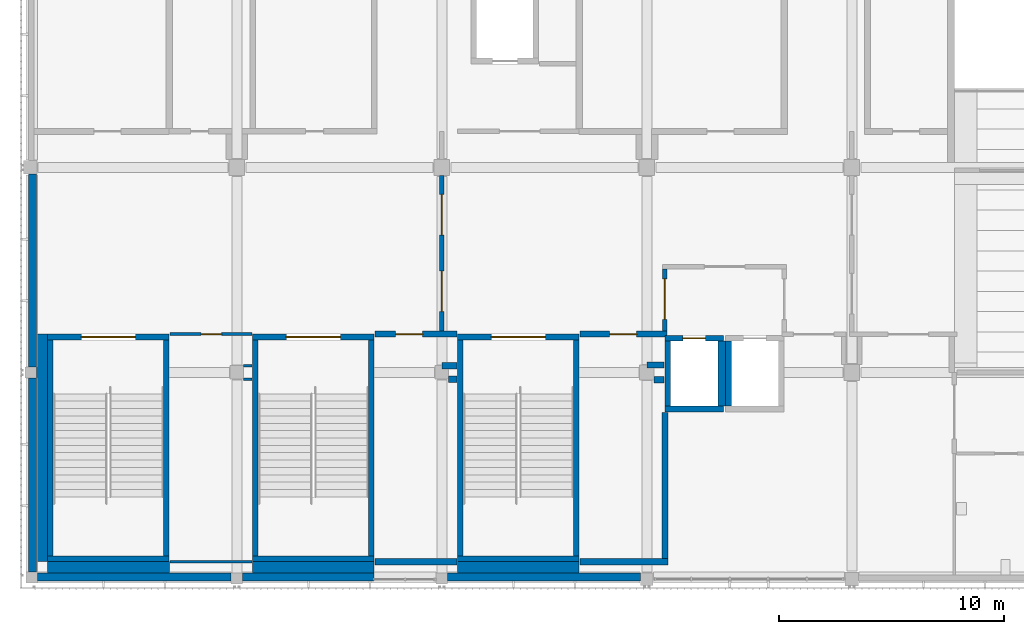
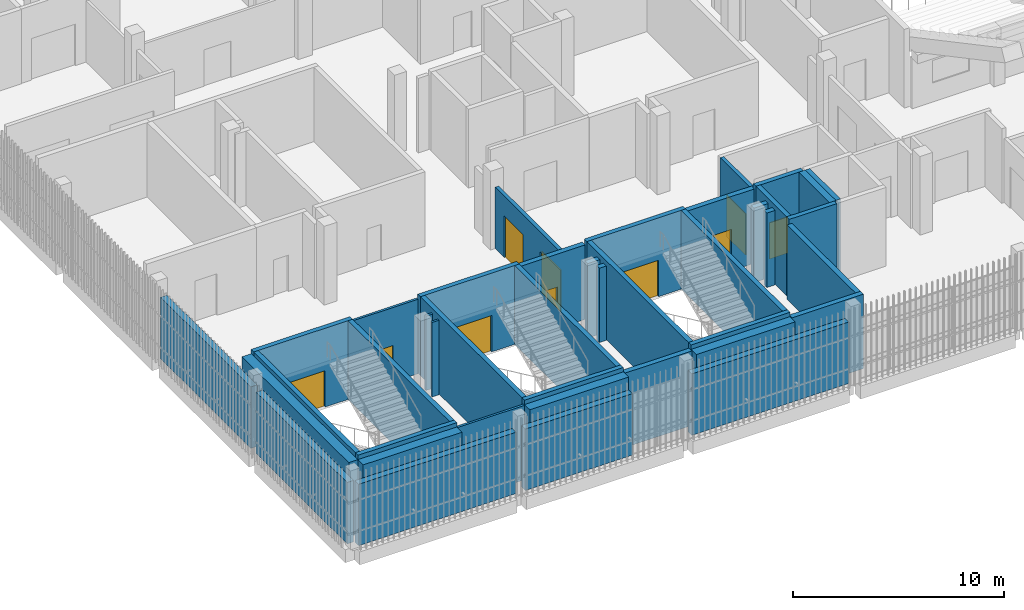
# One storey, part 73 of 139: 41 walls, 10 doors, 10 openings.
"""IFC4 building model written with IfcOpenShell, lengths in metres."""

from ifc_helpers import new_model, si_unit, direction, frame, frame_2d, origin, place, context, subcontext, project, spatial, rectangle, extrude, material, layer, layer_set, type_object, element, fill, save


model = new_model("IFC4")

# Units and contexts
model_context = context("Model", 3, precision=1e-05, world=origin(), true_north=direction((0.0, 1.0)))
body_context = subcontext(model_context, "Body", "Model", "MODEL_VIEW")
ifc_project = project(units=[si_unit("LENGTHUNIT", "METRE"), si_unit("AREAUNIT", "SQUARE_METRE"), si_unit("VOLUMEUNIT", "CUBIC_METRE"), si_unit("PLANEANGLEUNIT", "RADIAN"), si_unit("MASSUNIT", "GRAM", prefix="KILO")], contexts=[model_context])

# Site, building, storey
site_placement = place(None, origin())
site = spatial("IfcSite", under=ifc_project, at=site_placement, CompositionType="ELEMENT")
building_placement = place(site_placement, origin())
building = spatial("IfcBuilding", under=site, at=building_placement, Name="Shirokan Park Arena", CompositionType="ELEMENT")
storey_placement = place(building_placement, frame((0.0, 0.0, 15.469970703125)))
storey = spatial("IfcBuildingStorey", under=building, at=storey_placement, Name="L03", CompositionType="ELEMENT", Elevation=15.469970703125)

# Wall, openings, doors
ifc_material_1 = material(Name="Gypsum board")
ifc_layer_1 = layer(ifc_material_1, 0.02490234375, Name="Gypsum board, two layers")
ifc_material_2 = material(Name="Mineral wool insulation")
ifc_layer_2 = layer(ifc_material_2, 0.14990234375, Name="Mineral wool insulation")
ifc_layer_3 = layer(ifc_material_1, 0.02490234375, Name="Gypsum board, two layers")
ifc_layer_set_1 = layer_set([ifc_layer_1, ifc_layer_2, ifc_layer_3], Name="Gypsum board, two layers + Mineral wool insulation")
wall_type_1 = type_object("IfcWallType", Name="Corridor wall 200", PredefinedType="PARTITIONING", material=ifc_layer_set_1)
wall_1_placement = place(storey_placement, frame((18.199951171875, 17.85009765625, 0.0), z_axis=(0.0, 0.0, 1.0), x_axis=(0.0, -1.0, 0.0)))
wall_1 = element("IfcWall", 1, at=wall_1_placement, inside=storey, type_object=wall_type_1, Name="Corridor wall 200 L03", PredefinedType="PARTITIONING", context=body_context, shape_type="SweptSolid", body=[
    extrude(rectangle(XDim=6.91259765625, YDim=0.199951171875, at=frame_2d((3.456298828125, 0.0))), origin(), (0.0, 0.0, 1.0), 3.550048828125),
])
opening_1_placement = place(wall_1_placement, frame((0.85009765625, 0.0, 0.0)))
opening_1 = element("IfcOpeningElement", 2, at=opening_1_placement, cuts=wall_1, Name="Opening D-3084", PredefinedType="OPENING", context=body_context, shape_type="SweptSolid", body=[
    extrude(rectangle(XDim=1.800048828125, YDim=2.39990234375, at=frame_2d((0.89990234375, 1.199951171875))), frame((0.0, 0.10986328125, 0.0), z_axis=(0.0, -1.0, 0.0), x_axis=(1.0, 0.0, 0.0)), (0.0, 0.0, 1.0), 0.219970703125),
])
opening_2_placement = place(wall_1_placement, frame((4.25, 0.0, 0.0)))
opening_2 = element("IfcOpeningElement", 3, at=opening_2_placement, cuts=wall_1, Name="Opening D-3085", PredefinedType="OPENING", context=body_context, shape_type="SweptSolid", body=[
    extrude(rectangle(XDim=1.800048828125, YDim=2.39990234375, at=frame_2d((0.89990234375, 1.199951171875))), frame((0.0, 0.10986328125, 0.0), z_axis=(0.0, -1.0, 0.0), x_axis=(1.0, 0.0, 0.0)), (0.0, 0.0, 1.0), 0.219970703125),
])
ifc_material_3 = material(Name="Glazed steel door set, fire resisting", Category="steel")
door_type_1 = type_object("IfcDoorType", Name="Lift lobby door 1800 x 2400", OperationType="DOUBLE_DOOR_SINGLE_SWING", PredefinedType="DOOR", material=ifc_material_3)
door_1_placement = place(opening_1_placement, origin())
door_1 = element("IfcDoor", 4, at=door_1_placement, inside=storey, type_object=door_type_1, Name="Door between Hospitality Foyer 1.3.1 and Press Foyer 1.3.2 D-3084", OperationType="DOUBLE_DOOR_SINGLE_SWING", OverallHeight=2.39990234375, OverallWidth=1.800048828125, PredefinedType="DOOR", context=body_context, shape_type="SweptSolid", body=[
    extrude(rectangle(XDim=1.800048828125, YDim=2.39990234375, at=frame_2d((0.89990234375, 1.199951171875))), frame((0.0, 0.02490234375, 0.0), z_axis=(0.0, -1.0, 0.0), x_axis=(1.0, 0.0, 0.0)), (0.0, 0.0, 1.0), 0.050048828125),
])
fill(opening_1, door_1)
door_2_placement = place(opening_2_placement, origin())
door_2 = element("IfcDoor", 5, at=door_2_placement, inside=storey, type_object=door_type_1, Name="Door between Hospitality Foyer 1.3.1 and Press Foyer 1.3.2 D-3085", OperationType="DOUBLE_DOOR_SINGLE_SWING", OverallHeight=2.39990234375, OverallWidth=1.800048828125, PredefinedType="DOOR", context=body_context, shape_type="SweptSolid", body=[
    extrude(rectangle(XDim=1.800048828125, YDim=2.39990234375, at=frame_2d((0.89990234375, 1.199951171875))), frame((0.0, 0.02490234375, 0.0), z_axis=(0.0, -1.0, 0.0), x_axis=(1.0, 0.0, 0.0)), (0.0, 0.0, 1.0), 0.050048828125),
])
fill(opening_2, door_2)

# Wall, opening, door
wall_2_placement = place(storey_placement, frame((28.10009765625, 13.699951171875, 0.0), z_axis=(0.0, 0.0, 1.0), x_axis=(0.0, -1.0, 0.0)))
wall_2 = element("IfcWall", 6, at=wall_2_placement, inside=storey, type_object=wall_type_1, Name="Corridor wall 200 L03", PredefinedType="PARTITIONING", context=body_context, shape_type="SweptSolid", body=[
    extrude(rectangle(XDim=2.762451171875, YDim=0.199951171875, at=frame_2d((1.38134765625, 0.0))), origin(), (0.0, 0.0, 1.0), 4.300048828125),
])
opening_3_placement = place(wall_2_placement, frame((0.449951171875, 0.0, 0.0)))
opening_3 = element("IfcOpeningElement", 7, at=opening_3_placement, cuts=wall_2, Name="Opening D-3090", PredefinedType="OPENING", context=body_context, shape_type="SweptSolid", body=[
    extrude(rectangle(XDim=1.800048828125, YDim=2.39990234375, at=frame_2d((0.89990234375, 1.199951171875))), frame((0.0, 0.10986328125, 0.0), z_axis=(0.0, -1.0, 0.0), x_axis=(1.0, 0.0, 0.0)), (0.0, 0.0, 1.0), 0.219970703125),
])
door_3_placement = place(opening_3_placement, origin())
door_3 = element("IfcDoor", 8, at=door_3_placement, inside=storey, type_object=door_type_1, Name="Door between Press Foyer 1.3.2 and Lift Lobby 1.3 D-3090", OperationType="DOUBLE_DOOR_SINGLE_SWING", OverallHeight=2.39990234375, OverallWidth=1.800048828125, PredefinedType="DOOR", context=body_context, shape_type="SweptSolid", body=[
    extrude(rectangle(XDim=1.800048828125, YDim=2.39990234375, at=frame_2d((0.89990234375, 1.199951171875))), frame((0.0, 0.02490234375, 0.0), z_axis=(0.0, -1.0, 0.0), x_axis=(1.0, 0.0, 0.0)), (0.0, 0.0, 1.0), 0.050048828125),
])
fill(opening_3, door_3)

# Walls
ifc_material_4 = material(Name="Cedar cladding")
ifc_layer_4 = layer(ifc_material_4, 0.030029296875, Name="Cedar cladding")
ifc_layer_5 = layer(ifc_material_2, 0.10009765625, Name="Mineral wool insulation")
ifc_material_5 = material(Name="Concrete C35", Category="concrete")
ifc_layer_6 = layer(ifc_material_5, 0.199951171875, Name="Concrete C35")
ifc_material_6 = material(Name="Gypsum board lining")
ifc_layer_7 = layer(ifc_material_6, 0.02001953125, Name="Gypsum board lining")
ifc_layer_set_2 = layer_set([ifc_layer_4, ifc_layer_5, ifc_layer_6, ifc_layer_7], Name="Cedar cladding + Mineral wool insulation + Concrete C35 + Gypsum board lining")
wall_type_2 = type_object("IfcWallType", Name="Insulated tower wall 350", PredefinedType="SOLIDWALL", material=ifc_layer_set_2)
wall_3_placement = place(storey_placement, frame((0.25, 0.02490234375, 0.0), z_axis=(0.0, 0.0, 1.0), x_axis=(1.0, 0.0, 0.0)))
element("IfcWall", 9, at=wall_3_placement, inside=storey, type_object=wall_type_2, Name="South facade wall bay 1 L03", PredefinedType="SOLIDWALL", context=body_context, shape_type="SweptSolid", body=[
    extrude(rectangle(XDim=8.60009765625, YDim=0.35009765625, at=frame_2d((4.300048828125, 0.0))), origin(), (0.0, 0.0, 1.0), 3.550048828125),
])
wall_4_placement = place(storey_placement, frame((9.35009765625, 0.02490234375, 0.0), z_axis=(0.0, 0.0, 1.0), x_axis=(1.0, 0.0, 0.0)))
element("IfcWall", 10, at=wall_4_placement, inside=storey, type_object=wall_type_2, Name="South facade wall bay 2 L03", PredefinedType="SOLIDWALL", context=body_context, shape_type="SweptSolid", body=[
    extrude(rectangle(XDim=5.849853515625, YDim=0.35009765625, at=frame_2d((2.9248046875, 0.0))), origin(), (0.0, 0.0, 1.0), 3.550048828125),
])
wall_5_placement = place(storey_placement, frame((18.449951171875, 0.02490234375, 0.0), z_axis=(0.0, 0.0, 1.0), x_axis=(1.0, 0.0, 0.0)))
element("IfcWall", 11, at=wall_5_placement, inside=storey, type_object=wall_type_2, Name="South facade wall bay 3 L03", PredefinedType="SOLIDWALL", context=body_context, shape_type="SweptSolid", body=[
    extrude(rectangle(XDim=8.574951171875, YDim=0.35009765625, at=frame_2d((4.28759765625, 0.0))), origin(), (0.0, 0.0, 1.0), 3.550048828125),
])
wall_6_placement = place(storey_placement, frame((0.02490234375, 17.89990234375, 0.0), z_axis=(0.0, 0.0, 1.0), x_axis=(0.0, -1.0, 0.0)))
element("IfcWall", 12, at=wall_6_placement, inside=storey, type_object=wall_type_2, Name="West facade wall bay 11 L03", PredefinedType="SOLIDWALL", context=body_context, shape_type="SweptSolid", body=[
    extrude(rectangle(XDim=8.5498046875, YDim=0.35009765625, at=frame_2d((4.27490234375, 0.0))), origin(), (0.0, 0.0, 1.0), 3.550048828125),
])
wall_7_placement = place(storey_placement, frame((0.02490234375, 8.85009765625, 0.0), z_axis=(0.0, 0.0, 1.0), x_axis=(0.0, -1.0, 0.0)))
element("IfcWall", 13, at=wall_7_placement, inside=storey, type_object=wall_type_2, Name="West facade wall bay 12 L03", PredefinedType="SOLIDWALL", context=body_context, shape_type="SweptSolid", body=[
    extrude(rectangle(XDim=8.60009765625, YDim=0.35009765625, at=frame_2d((4.300048828125, 0.0))), origin(), (0.0, 0.0, 1.0), 3.550048828125),
])
ifc_material_7 = material(Name="Plaster")
ifc_layer_8 = layer(ifc_material_7, 0.012451171875, Name="Plaster")
ifc_material_8 = material(Name="Concrete blockwork", Category="masonry")
ifc_layer_9 = layer(ifc_material_8, 0.25, Name="Concrete blockwork 250")
ifc_layer_10 = layer(ifc_material_7, 0.012451171875, Name="Plaster")
ifc_layer_set_3 = layer_set([ifc_layer_8, ifc_layer_9, ifc_layer_10], Name="Plaster + Concrete blockwork 250")
wall_type_3 = type_object("IfcWallType", Name="Plant room wall 275", PredefinedType="SOLIDWALL", material=ifc_layer_set_3)
wall_8_placement = place(storey_placement, frame((18.199951171875, 9.39990234375, 0.0), z_axis=(0.0, 0.0, 1.0), x_axis=(1.0, 0.0, 0.0)))
element("IfcWall", 14, at=wall_8_placement, inside=storey, type_object=wall_type_3, Name="Plant room wall 275 L03", PredefinedType="SOLIDWALL", context=body_context, shape_type="SweptSolid", body=[
    extrude(rectangle(XDim=0.670166015625, YDim=0.27490234375, at=frame_2d((0.3349609375, 0.0))), origin(), (0.0, 0.0, 1.0), 4.300048828125),
])

# Wall, opening, door
wall_9_placement = place(storey_placement, frame((15.22998046875, 10.800048828125, 0.0), z_axis=(0.0, 0.0, 1.0), x_axis=(1.0, 0.0, 0.0)))
wall_9 = element("IfcWall", 15, at=wall_9_placement, inside=storey, type_object=wall_type_3, Name="Plant room wall 275 L03", PredefinedType="SOLIDWALL", context=body_context, shape_type="SweptSolid", body=[
    extrude(rectangle(XDim=3.64013671875, YDim=0.27490234375, at=frame_2d((1.820068359375, 0.0))), origin(), (0.0, 0.0, 1.0), 4.300048828125),
])
opening_4_placement = place(wall_9_placement, frame((0.919921875, 0.0, 0.0)))
opening_4 = element("IfcOpeningElement", 16, at=opening_4_placement, cuts=wall_9, Name="Opening D-3007", PredefinedType="OPENING", context=body_context, shape_type="SweptSolid", body=[
    extrude(rectangle(XDim=1.199951171875, YDim=2.39990234375, at=frame_2d((0.60009765625, 1.199951171875))), frame((0.0, 0.1474609375, 0.0), z_axis=(0.0, -1.0, 0.0), x_axis=(1.0, 0.0, 0.0)), (0.0, 0.0, 1.0), 0.294921875),
])
ifc_material_9 = material(Name="Louvred steel door set, fire resisting", Category="steel")
door_type_2 = type_object("IfcDoorType", Name="Plant room door 1200 x 2400", OperationType="SINGLE_SWING_LEFT", PredefinedType="DOOR", material=ifc_material_9)
door_4_placement = place(opening_4_placement, origin())
door_4 = element("IfcDoor", 17, at=door_4_placement, inside=storey, type_object=door_type_2, Name="Door to Communications Room 3.11 D-3007", OperationType="SINGLE_SWING_RIGHT", OverallHeight=2.39990234375, OverallWidth=1.199951171875, PredefinedType="DOOR", context=body_context, shape_type="SweptSolid", body=[
    extrude(rectangle(XDim=1.199951171875, YDim=2.39990234375, at=frame_2d((0.60009765625, 1.199951171875))), frame((0.0, 0.02490234375, 0.0), z_axis=(0.0, -1.0, 0.0), x_axis=(1.0, 0.0, 0.0)), (0.0, 0.0, 1.0), 0.050048828125),
])
fill(opening_4, door_4)

# Walls
wall_10_placement = place(storey_placement, frame((18.5, 8.800048828125, 0.0), z_axis=(0.0, 0.0, 1.0), x_axis=(1.0, 0.0, 0.0)))
element("IfcWall", 18, at=wall_10_placement, inside=storey, type_object=wall_type_3, Name="Plant room wall 275 L03", PredefinedType="SOLIDWALL", context=body_context, shape_type="SweptSolid", body=[
    extrude(rectangle(XDim=0.3701171875, YDim=0.27490234375, at=frame_2d((0.18505859375, 0.0))), origin(), (0.0, 0.0, 1.0), 4.300048828125),
])
wall_11_placement = place(storey_placement, frame((18.8701171875, 0.699951171875, 0.0), z_axis=(0.0, 0.0, 1.0), x_axis=(-1.0, 0.0, 0.0)))
element("IfcWall", 19, at=wall_11_placement, inside=storey, type_object=wall_type_3, Name="Plant room wall 275 L03", PredefinedType="SOLIDWALL", context=body_context, shape_type="SweptSolid", body=[
    extrude(rectangle(XDim=3.64013671875, YDim=0.27490234375, at=frame_2d((1.820068359375, 0.0))), origin(), (0.0, 0.0, 1.0), 4.300048828125),
])
wall_12_placement = place(storey_placement, frame((27.300048828125, 9.425048828125, 0.0), z_axis=(0.0, 0.0, 1.0), x_axis=(1.0, 0.0, 0.0)))
element("IfcWall", 20, at=wall_12_placement, inside=storey, type_object=wall_type_3, Name="Plant room wall 275 L03", PredefinedType="SOLIDWALL", context=body_context, shape_type="SweptSolid", body=[
    extrude(rectangle(XDim=0.77001953125, YDim=0.27490234375, at=frame_2d((0.385009765625, 0.0))), origin(), (0.0, 0.0, 1.0), 4.300048828125),
])
wall_13_placement = place(storey_placement, frame((27.625, 8.77490234375, 0.0), z_axis=(0.0, 0.0, 1.0), x_axis=(1.0, 0.0, 0.0)))
element("IfcWall", 21, at=wall_13_placement, inside=storey, type_object=wall_type_3, Name="Plant room wall 275 L03", PredefinedType="SOLIDWALL", context=body_context, shape_type="SweptSolid", body=[
    extrude(rectangle(XDim=0.445068359375, YDim=0.27490234375, at=frame_2d((0.22265625, 0.0))), origin(), (0.0, 0.0, 1.0), 4.300048828125),
])
wall_14_placement = place(storey_placement, frame((28.10009765625, 7.320068359375, 0.0), z_axis=(0.0, 0.0, 1.0), x_axis=(0.0, -1.0, 0.0)))
element("IfcWall", 22, at=wall_14_placement, inside=storey, type_object=wall_type_3, Name="Plant room wall 275 L03", PredefinedType="SOLIDWALL", context=body_context, shape_type="SweptSolid", body=[
    extrude(rectangle(XDim=6.482666015625, YDim=0.27490234375, at=frame_2d((3.2412109375, 0.0))), origin(), (0.0, 0.0, 1.0), 4.300048828125),
])

# Wall, opening, door
wall_15_placement = place(storey_placement, frame((28.199951171875, 10.800048828125, 0.0), z_axis=(0.0, 0.0, 1.0), x_axis=(-1.0, 0.0, 0.0)))
wall_15 = element("IfcWall", 23, at=wall_15_placement, inside=storey, type_object=wall_type_3, Name="Plant room wall 275 L03", PredefinedType="SOLIDWALL", context=body_context, shape_type="SweptSolid", body=[
    extrude(rectangle(XDim=3.869873046875, YDim=0.27490234375, at=frame_2d((1.93505859375, 0.0))), origin(), (0.0, 0.0, 1.0), 4.300048828125),
])
opening_5_placement = place(wall_15_placement, frame((1.35009765625, 0.0, 0.0)))
opening_5 = element("IfcOpeningElement", 24, at=opening_5_placement, cuts=wall_15, Name="Opening D-3008", PredefinedType="OPENING", context=body_context, shape_type="SweptSolid", body=[
    extrude(rectangle(XDim=1.199951171875, YDim=2.39990234375, at=frame_2d((0.60009765625, 1.199951171875))), frame((0.0, 0.1474609375, 0.0), z_axis=(0.0, -1.0, 0.0), x_axis=(1.0, 0.0, 0.0)), (0.0, 0.0, 1.0), 0.294921875),
])
door_5_placement = place(opening_5_placement, origin())
door_5 = element("IfcDoor", 25, at=door_5_placement, inside=storey, type_object=door_type_2, Name="Door to Server Room 3.12 D-3008", OperationType="SINGLE_SWING_LEFT", OverallHeight=2.39990234375, OverallWidth=1.199951171875, PredefinedType="DOOR", context=body_context, shape_type="SweptSolid", body=[
    extrude(rectangle(XDim=1.199951171875, YDim=2.39990234375, at=frame_2d((0.60009765625, 1.199951171875))), frame((0.0, 0.02490234375, 0.0), z_axis=(0.0, -1.0, 0.0), x_axis=(1.0, 0.0, 0.0)), (0.0, 0.0, 1.0), 0.050048828125),
])
fill(opening_5, door_5)

# Walls
wall_16_placement = place(storey_placement, frame((28.237548828125, 0.699951171875, 0.0), z_axis=(0.0, 0.0, 1.0), x_axis=(-1.0, 0.0, 0.0)))
element("IfcWall", 26, at=wall_16_placement, inside=storey, type_object=wall_type_3, Name="Plant room wall 275 L03", PredefinedType="SOLIDWALL", context=body_context, shape_type="SweptSolid", body=[
    extrude(rectangle(XDim=3.907470703125, YDim=0.27490234375, at=frame_2d((1.95361328125, 0.0))), origin(), (0.0, 0.0, 1.0), 4.300048828125),
])
ifc_material_10 = material(Name="Concrete C40/50", Category="concrete")
ifc_layer_11 = layer(ifc_material_10, 0.25)
ifc_layer_set_4 = layer_set([ifc_layer_11], Name="Concrete C40/50 250 mm")
wall_type_4 = type_object("IfcWallType", Name="RC shear wall 250", PredefinedType="SHEAR", material=ifc_layer_set_4)
wall_17_placement = place(storey_placement, frame((30.699951171875, 7.47509765625, 0.0), z_axis=(0.0, 0.0, 1.0), x_axis=(-1.0, 0.0, 0.0)))
element("IfcWall", 27, at=wall_17_placement, inside=storey, type_object=wall_type_4, Name="Shaft wall Passenger Lift 1.1 S L03", PredefinedType="SHEAR", context=body_context, shape_type="SweptSolid", body=[
    extrude(rectangle(XDim=2.599853515625, YDim=0.25, at=frame_2d((1.2998046875, 0.0))), origin(), (0.0, 0.0, 1.0), 4.550048828125),
])

# Wall, opening, door
wall_18_placement = place(storey_placement, frame((30.699951171875, 10.625, 0.0), z_axis=(0.0, 0.0, 1.0), x_axis=(-1.0, 0.0, 0.0)))
wall_18 = element("IfcWall", 28, at=wall_18_placement, inside=storey, type_object=wall_type_4, Name="Shaft wall Passenger Lift 1.1 N L03", PredefinedType="SHEAR", context=body_context, shape_type="SweptSolid", body=[
    extrude(rectangle(XDim=2.599853515625, YDim=0.25, at=frame_2d((1.2998046875, 0.0))), origin(), (0.0, 0.0, 1.0), 4.550048828125),
])
opening_6_placement = place(wall_18_placement, frame((0.800048828125, 0.0, 0.0)))
opening_6 = element("IfcOpeningElement", 29, at=opening_6_placement, cuts=wall_18, Name="Opening LD04", PredefinedType="OPENING", context=body_context, shape_type="SweptSolid", body=[
    extrude(rectangle(XDim=1.0, YDim=2.10009765625, at=frame_2d((0.5, 1.050048828125))), frame((0.0, 0.135009765625, 0.0), z_axis=(0.0, -1.0, 0.0), x_axis=(1.0, 0.0, 0.0)), (0.0, 0.0, 1.0), 0.27001953125),
])
ifc_material_11 = material(Name="Stainless steel", Category="steel")
door_type_3 = type_object("IfcDoorType", Name="Lift landing door 1000x2100", OperationType="DOUBLE_DOOR_SLIDING", PredefinedType="DOOR", material=ifc_material_11)
door_6_placement = place(opening_6_placement, origin())
door_6 = element("IfcDoor", 30, at=door_6_placement, inside=storey, type_object=door_type_3, Name="Lift landing door Passenger Lift 1.1 L03", OperationType="DOUBLE_DOOR_SLIDING", OverallHeight=2.10009765625, OverallWidth=1.0, PredefinedType="DOOR", context=body_context, shape_type="SweptSolid", body=[
    extrude(rectangle(XDim=1.0, YDim=2.10009765625, at=frame_2d((0.5, 1.050048828125))), frame((0.0, 0.02490234375, 0.0), z_axis=(0.0, -1.0, 0.0), x_axis=(1.0, 0.0, 0.0)), (0.0, 0.0, 1.0), 0.050048828125),
])
fill(opening_6, door_6)

# Walls
for number, where, z_axis, x_axis, name in (
    (31, (28.22509765625, 10.5, 0.0), (0.0, 0.0, 1.0), (0.0, -1.0, 0.0), "Shaft wall Passenger Lift 1.1 W L03"),
    (32, (30.925048828125, 10.5, 0.0), (0.0, 0.0, 1.0), (0.0, -1.0, 0.0), "Shaft wall Passenger Lift 1.2 W L03"),
):
    element("IfcWall", number, at=place(storey_placement, frame(where, z_axis=z_axis, x_axis=x_axis)), inside=storey, type_object=wall_type_4, Name=name, PredefinedType="SHEAR", context=body_context, shape_type="SweptSolid", body=[
        extrude(rectangle(XDim=2.89990234375, YDim=0.25, at=frame_2d((1.449951171875, 0.0))), origin(), (0.0, 0.0, 1.0), 4.550048828125),
    ])
wall_19_placement = place(storey_placement, frame((6.10009765625, 0.824951171875, 0.0), z_axis=(0.0, 0.0, 1.0), x_axis=(-1.0, 0.0, 0.0)))
element("IfcWall", 33, at=wall_19_placement, inside=storey, type_object=wall_type_4, Name="Shaft wall Exit Stair 1.A S L03", PredefinedType="SHEAR", context=body_context, shape_type="SweptSolid", body=[
    extrude(rectangle(XDim=5.400146484375, YDim=0.25, at=frame_2d((2.7001953125, 0.0))), origin(), (0.0, 0.0, 1.0), 4.550048828125),
])

# Wall, opening, door
wall_20_placement = place(storey_placement, frame((6.10009765625, 10.675048828125, 0.0), z_axis=(0.0, 0.0, 1.0), x_axis=(-1.0, 0.0, 0.0)))
wall_20 = element("IfcWall", 34, at=wall_20_placement, inside=storey, type_object=wall_type_4, Name="Shaft wall Exit Stair 1.A N L03", PredefinedType="SHEAR", context=body_context, shape_type="SweptSolid", body=[
    extrude(rectangle(XDim=5.400146484375, YDim=0.25, at=frame_2d((2.7001953125, 0.0))), origin(), (0.0, 0.0, 1.0), 4.550048828125),
])
opening_7_placement = place(wall_20_placement, frame((1.5, 0.0, 0.0)))
opening_7 = element("IfcOpeningElement", 35, at=opening_7_placement, cuts=wall_20, Name="Opening D-3146", PredefinedType="OPENING", context=body_context, shape_type="SweptSolid", body=[
    extrude(rectangle(XDim=2.39990234375, YDim=2.10009765625, at=frame_2d((1.199951171875, 1.050048828125))), frame((0.0, 0.135009765625, 0.0), z_axis=(0.0, -1.0, 0.0), x_axis=(1.0, 0.0, 0.0)), (0.0, 0.0, 1.0), 0.27001953125),
])
ifc_material_12 = material(Name="Steel door set, fire resisting", Category="steel")
door_type_4 = type_object("IfcDoorType", Name="Stair door 2400 x 2100", OperationType="DOUBLE_DOOR_SINGLE_SWING", PredefinedType="DOOR", material=ifc_material_12)
door_7_placement = place(opening_7_placement, origin())
door_7 = element("IfcDoor", 36, at=door_7_placement, inside=storey, type_object=door_type_4, Name="Stair door Exit Stair 1.A D-3146", OperationType="DOUBLE_DOOR_SINGLE_SWING", OverallHeight=2.10009765625, OverallWidth=2.39990234375, PredefinedType="DOOR", context=body_context, shape_type="SweptSolid", body=[
    extrude(rectangle(XDim=2.39990234375, YDim=2.10009765625, at=frame_2d((1.199951171875, 1.050048828125))), frame((0.0, 0.02490234375, 0.0), z_axis=(0.0, -1.0, 0.0), x_axis=(1.0, 0.0, 0.0)), (0.0, 0.0, 1.0), 0.050048828125),
])
fill(opening_7, door_7)

# Walls
for number, where, z_axis, x_axis, name in (
    (37, (0.824951171875, 10.550048828125, 0.0), (0.0, 0.0, 1.0), (0.0, -1.0, 0.0), "Shaft wall Exit Stair 1.A W L03"),
    (38, (5.97509765625, 10.550048828125, 0.0), (0.0, 0.0, 1.0), (0.0, -1.0, 0.0), "Shaft wall Exit Stair 1.A E L03"),
):
    element("IfcWall", number, at=place(storey_placement, frame(where, z_axis=z_axis, x_axis=x_axis)), inside=storey, type_object=wall_type_4, Name=name, PredefinedType="SHEAR", context=body_context, shape_type="SweptSolid", body=[
        extrude(rectangle(XDim=9.60009765625, YDim=0.25, at=frame_2d((4.800048828125, 0.0))), origin(), (0.0, 0.0, 1.0), 4.550048828125),
    ])
wall_21_placement = place(storey_placement, frame((15.199951171875, 0.824951171875, 0.0), z_axis=(0.0, 0.0, 1.0), x_axis=(-1.0, 0.0, 0.0)))
element("IfcWall", 39, at=wall_21_placement, inside=storey, type_object=wall_type_4, Name="Shaft wall Exit Stair 1.B S L03", PredefinedType="SHEAR", context=body_context, shape_type="SweptSolid", body=[
    extrude(rectangle(XDim=5.39990234375, YDim=0.25, at=frame_2d((2.699951171875, 0.0))), origin(), (0.0, 0.0, 1.0), 4.550048828125),
])

# Wall, opening, door
wall_22_placement = place(storey_placement, frame((15.199951171875, 10.675048828125, 0.0), z_axis=(0.0, 0.0, 1.0), x_axis=(-1.0, 0.0, 0.0)))
wall_22 = element("IfcWall", 40, at=wall_22_placement, inside=storey, type_object=wall_type_4, Name="Shaft wall Exit Stair 1.B N L03", PredefinedType="SHEAR", context=body_context, shape_type="SweptSolid", body=[
    extrude(rectangle(XDim=5.39990234375, YDim=0.25, at=frame_2d((2.699951171875, 0.0))), origin(), (0.0, 0.0, 1.0), 4.550048828125),
])
opening_8_placement = place(wall_22_placement, frame((1.5, 0.0, 0.0)))
opening_8 = element("IfcOpeningElement", 41, at=opening_8_placement, cuts=wall_22, Name="Opening D-3147", PredefinedType="OPENING", context=body_context, shape_type="SweptSolid", body=[
    extrude(rectangle(XDim=2.39990234375, YDim=2.10009765625, at=frame_2d((1.199951171875, 1.050048828125))), frame((0.0, 0.135009765625, 0.0), z_axis=(0.0, -1.0, 0.0), x_axis=(1.0, 0.0, 0.0)), (0.0, 0.0, 1.0), 0.27001953125),
])
door_8_placement = place(opening_8_placement, origin())
door_8 = element("IfcDoor", 42, at=door_8_placement, inside=storey, type_object=door_type_4, Name="Stair door Exit Stair 1.B D-3147", OperationType="DOUBLE_DOOR_SINGLE_SWING", OverallHeight=2.10009765625, OverallWidth=2.39990234375, PredefinedType="DOOR", context=body_context, shape_type="SweptSolid", body=[
    extrude(rectangle(XDim=2.39990234375, YDim=2.10009765625, at=frame_2d((1.199951171875, 1.050048828125))), frame((0.0, 0.02490234375, 0.0), z_axis=(0.0, -1.0, 0.0), x_axis=(1.0, 0.0, 0.0)), (0.0, 0.0, 1.0), 0.050048828125),
])
fill(opening_8, door_8)

# Walls
for number, where, z_axis, x_axis, name in (
    (43, (9.925048828125, 10.550048828125, 0.0), (0.0, 0.0, 1.0), (0.0, -1.0, 0.0), "Shaft wall Exit Stair 1.B W L03"),
    (44, (15.074951171875, 10.550048828125, 0.0), (0.0, 0.0, 1.0), (0.0, -1.0, 0.0), "Shaft wall Exit Stair 1.B E L03"),
):
    element("IfcWall", number, at=place(storey_placement, frame(where, z_axis=z_axis, x_axis=x_axis)), inside=storey, type_object=wall_type_4, Name=name, PredefinedType="SHEAR", context=body_context, shape_type="SweptSolid", body=[
        extrude(rectangle(XDim=9.60009765625, YDim=0.25, at=frame_2d((4.800048828125, 0.0))), origin(), (0.0, 0.0, 1.0), 4.550048828125),
    ])
wall_23_placement = place(storey_placement, frame((24.300048828125, 0.824951171875, 0.0), z_axis=(0.0, 0.0, 1.0), x_axis=(-1.0, 0.0, 0.0)))
element("IfcWall", 45, at=wall_23_placement, inside=storey, type_object=wall_type_4, Name="Shaft wall Exit Stair 1.C S L03", PredefinedType="SHEAR", context=body_context, shape_type="SweptSolid", body=[
    extrude(rectangle(XDim=5.400146484375, YDim=0.25, at=frame_2d((2.7001953125, 0.0))), origin(), (0.0, 0.0, 1.0), 4.550048828125),
])

# Wall, opening, door
wall_24_placement = place(storey_placement, frame((24.300048828125, 10.675048828125, 0.0), z_axis=(0.0, 0.0, 1.0), x_axis=(-1.0, 0.0, 0.0)))
wall_24 = element("IfcWall", 46, at=wall_24_placement, inside=storey, type_object=wall_type_4, Name="Shaft wall Exit Stair 1.C N L03", PredefinedType="SHEAR", context=body_context, shape_type="SweptSolid", body=[
    extrude(rectangle(XDim=5.400146484375, YDim=0.25, at=frame_2d((2.7001953125, 0.0))), origin(), (0.0, 0.0, 1.0), 4.550048828125),
])
opening_9_placement = place(wall_24_placement, frame((1.5, 0.0, 0.0)))
opening_9 = element("IfcOpeningElement", 47, at=opening_9_placement, cuts=wall_24, Name="Opening D-3148", PredefinedType="OPENING", context=body_context, shape_type="SweptSolid", body=[
    extrude(rectangle(XDim=2.39990234375, YDim=2.10009765625, at=frame_2d((1.199951171875, 1.050048828125))), frame((0.0, 0.135009765625, 0.0), z_axis=(0.0, -1.0, 0.0), x_axis=(1.0, 0.0, 0.0)), (0.0, 0.0, 1.0), 0.27001953125),
])
door_9_placement = place(opening_9_placement, origin())
door_9 = element("IfcDoor", 48, at=door_9_placement, inside=storey, type_object=door_type_4, Name="Stair door Exit Stair 1.C D-3148", OperationType="DOUBLE_DOOR_SINGLE_SWING", OverallHeight=2.10009765625, OverallWidth=2.39990234375, PredefinedType="DOOR", context=body_context, shape_type="SweptSolid", body=[
    extrude(rectangle(XDim=2.39990234375, YDim=2.10009765625, at=frame_2d((1.199951171875, 1.050048828125))), frame((0.0, 0.02490234375, 0.0), z_axis=(0.0, -1.0, 0.0), x_axis=(1.0, 0.0, 0.0)), (0.0, 0.0, 1.0), 0.050048828125),
])
fill(opening_9, door_9)

# Walls
for number, where, z_axis, x_axis, name in (
    (49, (19.02490234375, 10.550048828125, 0.0), (0.0, 0.0, 1.0), (0.0, -1.0, 0.0), "Shaft wall Exit Stair 1.C W L03"),
    (50, (24.175048828125, 10.550048828125, 0.0), (0.0, 0.0, 1.0), (0.0, -1.0, 0.0), "Shaft wall Exit Stair 1.C E L03"),
):
    element("IfcWall", number, at=place(storey_placement, frame(where, z_axis=z_axis, x_axis=x_axis)), inside=storey, type_object=wall_type_4, Name=name, PredefinedType="SHEAR", context=body_context, shape_type="SweptSolid", body=[
        extrude(rectangle(XDim=9.60009765625, YDim=0.25, at=frame_2d((4.800048828125, 0.0))), origin(), (0.0, 0.0, 1.0), 4.550048828125),
    ])
ifc_layer_12 = layer(ifc_material_10, 0.35009765625)
ifc_layer_set_5 = layer_set([ifc_layer_12], Name="Concrete C40/50 350 mm")
wall_type_5 = type_object("IfcWallType", Name="RC shear wall 350", PredefinedType="SHEAR", material=ifc_layer_set_5)
wall_25_placement = place(storey_placement, frame((30.625, 10.5, 0.0), z_axis=(0.0, 0.0, 1.0), x_axis=(0.0, -1.0, 0.0)))
element("IfcWall", 51, at=wall_25_placement, inside=storey, type_object=wall_type_5, Name="Shaft wall Passenger Lift 1.1 E L03", PredefinedType="SHEAR", context=body_context, shape_type="SweptSolid", body=[
    extrude(rectangle(XDim=2.89990234375, YDim=0.35009765625, at=frame_2d((1.449951171875, 0.0))), origin(), (0.0, 0.0, 1.0), 4.550048828125),
])
ifc_layer_13 = layer(ifc_material_5, 0.5)
ifc_layer_set_6 = layer_set([ifc_layer_13], Name="Concrete C35 500 mm")
wall_type_6 = type_object("IfcWallType", Name="Shaft infill wall 500", PredefinedType="SOLIDWALL", material=ifc_layer_set_6)
wall_26_placement = place(storey_placement, frame((0.699951171875, 0.449951171875, 0.0), z_axis=(0.0, 0.0, 1.0), x_axis=(1.0, 0.0, 0.0)))
element("IfcWall", 52, at=wall_26_placement, inside=storey, type_object=wall_type_6, Name="Shaft infill wall L03", PredefinedType="SOLIDWALL", context=body_context, shape_type="SweptSolid", body=[
    extrude(rectangle(XDim=5.400146484375, YDim=0.5, at=frame_2d((2.7001953125, 0.0))), origin(), (0.0, 0.0, 1.0), 4.300048828125),
])
wall_27_placement = place(storey_placement, frame((0.449951171875, 0.699951171875, 0.0), z_axis=(0.0, 0.0, 1.0), x_axis=(0.0, 1.0, 0.0)))
element("IfcWall", 53, at=wall_27_placement, inside=storey, type_object=wall_type_6, Name="Shaft infill wall L03", PredefinedType="SOLIDWALL", context=body_context, shape_type="SweptSolid", body=[
    extrude(rectangle(XDim=10.10009765625, YDim=0.5, at=frame_2d((5.050048828125, 0.0))), origin(), (0.0, 0.0, 1.0), 4.300048828125),
])
wall_28_placement = place(storey_placement, frame((9.800048828125, 0.449951171875, 0.0), z_axis=(0.0, 0.0, 1.0), x_axis=(1.0, 0.0, 0.0)))
element("IfcWall", 54, at=wall_28_placement, inside=storey, type_object=wall_type_6, Name="Shaft infill wall L03", PredefinedType="SOLIDWALL", context=body_context, shape_type="SweptSolid", body=[
    extrude(rectangle(XDim=5.39990234375, YDim=0.5, at=frame_2d((2.699951171875, 0.0))), origin(), (0.0, 0.0, 1.0), 4.300048828125),
])
wall_29_placement = place(storey_placement, frame((18.89990234375, 0.449951171875, 0.0), z_axis=(0.0, 0.0, 1.0), x_axis=(1.0, 0.0, 0.0)))
element("IfcWall", 55, at=wall_29_placement, inside=storey, type_object=wall_type_6, Name="Shaft infill wall L03", PredefinedType="SOLIDWALL", context=body_context, shape_type="SweptSolid", body=[
    extrude(rectangle(XDim=5.400146484375, YDim=0.5, at=frame_2d((2.7001953125, 0.0))), origin(), (0.0, 0.0, 1.0), 4.300048828125),
])
ifc_material_13 = material(Name="Ceramic tile")
ifc_layer_14 = layer(ifc_material_13, 0.010009765625, Name="Ceramic tile")
ifc_material_14 = material(Name="Cement board")
ifc_layer_15 = layer(ifc_material_14, 0.012451171875, Name="Cement board")
ifc_layer_16 = layer(ifc_material_2, 0.080078125, Name="Mineral wool insulation")
ifc_layer_17 = layer(ifc_material_14, 0.012451171875, Name="Cement board")
ifc_layer_18 = layer(ifc_material_13, 0.010009765625, Name="Ceramic tile")
ifc_layer_set_7 = layer_set([ifc_layer_14, ifc_layer_15, ifc_layer_16, ifc_layer_17, ifc_layer_18], Name="Ceramic tile + Cement board + Mineral wool insulation")
wall_type_7 = type_object("IfcWallType", Name="Wet-area wall 125", PredefinedType="PARTITIONING", material=ifc_layer_set_7)
wall_30_placement = place(storey_placement, frame((9.39990234375, 8.800048828125, 0.0), z_axis=(0.0, 0.0, 1.0), x_axis=(1.0, 0.0, 0.0)))
element("IfcWall", 56, at=wall_30_placement, inside=storey, type_object=wall_type_7, Name="Wet-area wall 125 L03", PredefinedType="PARTITIONING", context=body_context, shape_type="SweptSolid", body=[
    extrude(rectangle(XDim=0.3701171875, YDim=0.125, at=frame_2d((0.18505859375, 0.0))), origin(), (0.0, 0.0, 1.0), 4.300048828125),
])
wall_31_placement = place(storey_placement, frame((9.77001953125, 0.699951171875, 0.0), z_axis=(0.0, 0.0, 1.0), x_axis=(-1.0, 0.0, 0.0)))
element("IfcWall", 57, at=wall_31_placement, inside=storey, type_object=wall_type_7, Name="Wet-area wall 125 L03", PredefinedType="PARTITIONING", context=body_context, shape_type="SweptSolid", body=[
    extrude(rectangle(XDim=3.64013671875, YDim=0.125, at=frame_2d((1.820068359375, 0.0))), origin(), (0.0, 0.0, 1.0), 4.300048828125),
])
wall_32_placement = place(storey_placement, frame((9.77001953125, 9.39990234375, 0.0), z_axis=(0.0, 0.0, 1.0), x_axis=(-1.0, 0.0, 0.0)))
element("IfcWall", 58, at=wall_32_placement, inside=storey, type_object=wall_type_7, Name="Wet-area wall 125 L03", PredefinedType="PARTITIONING", context=body_context, shape_type="SweptSolid", body=[
    extrude(rectangle(XDim=0.3701171875, YDim=0.125, at=frame_2d((0.18505859375, 0.0))), origin(), (0.0, 0.0, 1.0), 4.300048828125),
])

# Wall, opening, door
wall_33_placement = place(storey_placement, frame((9.77001953125, 10.800048828125, 0.0), z_axis=(0.0, 0.0, 1.0), x_axis=(-1.0, 0.0, 0.0)))
wall_33 = element("IfcWall", 59, at=wall_33_placement, inside=storey, type_object=wall_type_7, Name="Wet-area wall 125 L03", PredefinedType="PARTITIONING", context=body_context, shape_type="SweptSolid", body=[
    extrude(rectangle(XDim=3.64013671875, YDim=0.125, at=frame_2d((1.820068359375, 0.0))), origin(), (0.0, 0.0, 1.0), 4.300048828125),
])
opening_10_placement = place(wall_33_placement, frame((1.35009765625, 0.0, 0.0)))
opening_10 = element("IfcOpeningElement", 60, at=opening_10_placement, cuts=wall_33, Name="Opening D-3006", PredefinedType="OPENING", context=body_context, shape_type="SweptSolid", body=[
    extrude(rectangle(XDim=0.89990234375, YDim=2.10009765625, at=frame_2d((0.449951171875, 1.050048828125))), frame((0.0, 0.072509765625, 0.0), z_axis=(0.0, -1.0, 0.0), x_axis=(1.0, 0.0, 0.0)), (0.0, 0.0, 1.0), 0.14501953125),
])
ifc_material_15 = material(Name="Timber door set, fire resisting", Category="wood")
door_type_5 = type_object("IfcDoorType", Name="Door 900 x 2100", OperationType="SINGLE_SWING_LEFT", PredefinedType="DOOR", material=ifc_material_15)
door_10_placement = place(opening_10_placement, origin())
door_10 = element("IfcDoor", 61, at=door_10_placement, inside=storey, type_object=door_type_5, Name="Door to Staff WC 3.10 D-3006", OperationType="SINGLE_SWING_RIGHT", OverallHeight=2.10009765625, OverallWidth=0.89990234375, PredefinedType="DOOR", context=body_context, shape_type="SweptSolid", body=[
    extrude(rectangle(XDim=0.89990234375, YDim=2.10009765625, at=frame_2d((0.449951171875, 1.050048828125))), frame((0.0, 0.02490234375, 0.0), z_axis=(0.0, -1.0, 0.0), x_axis=(1.0, 0.0, 0.0)), (0.0, 0.0, 1.0), 0.050048828125),
])
fill(opening_10, door_10)

save(model, "model.ifc")
